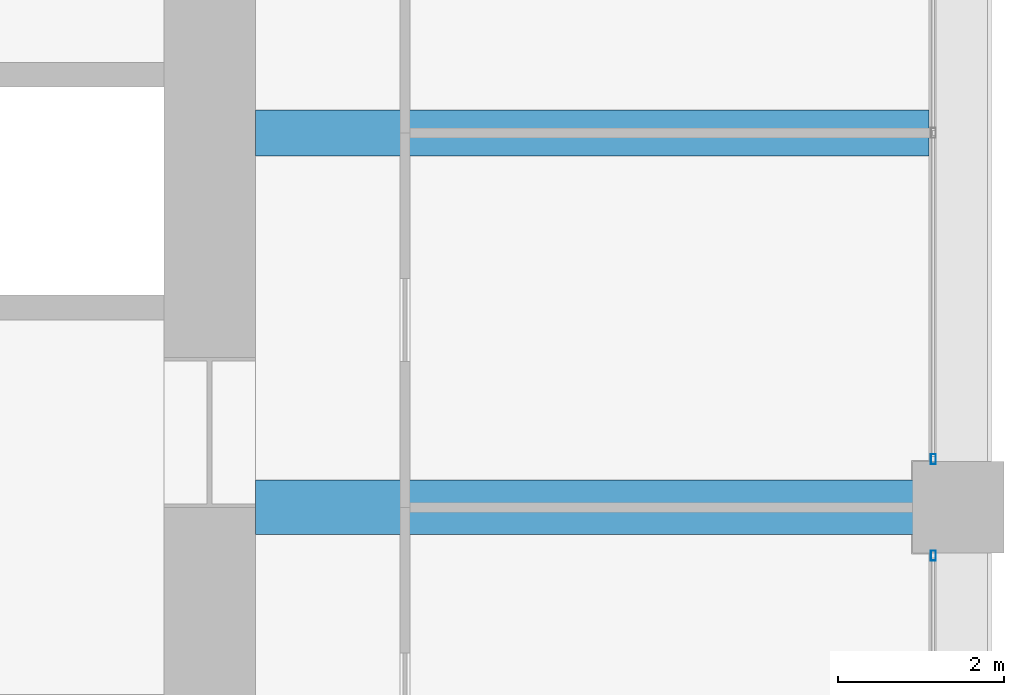
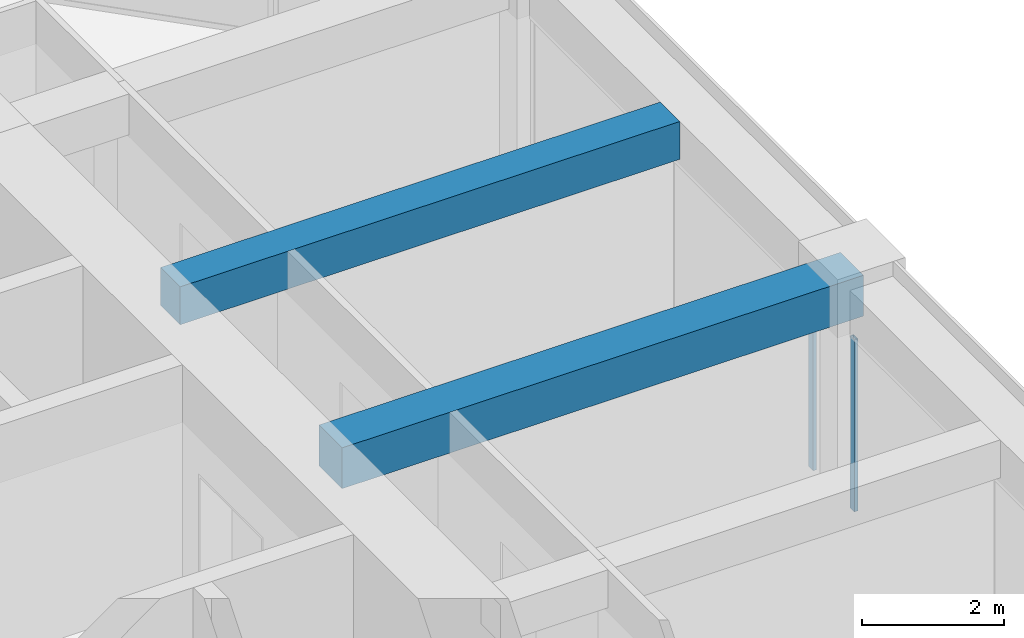
# One storey, part 26 of 44: 2 beams, 2 members, 2 elements without a shape of their own.
"""IFC4 building model written with IfcOpenShell, lengths in metres."""

import ifcopenshell
import ifcopenshell.guid

model = None  # the IFC model being written
_history = None  # IfcOwnerHistory: only IFC2X3 demands one
_inside = {}  # id of a spatial element -> (the spatial element, [elements in it])
_under = {}  # id of a project, library or spatial element -> (it, [spatial elements below it])
_declared = {}  # id of a project -> (the project, [libraries it declares])
_typed = {}  # id of a type object -> (the type object, [elements of that type])
_made_of = {}  # id of a material, layer set ... -> (it, [elements and type objects made of it])


def new_model(schema):
    """Start an empty IFC model of exactly this schema.

    Asked for "IFC4X3", IfcOpenShell would pick the latest addendum, in which some entities
    have other attributes; the version numbers below select the first issue.
    IFC2X3 requires an IfcOwnerHistory on every rooted entity: one is made here for all.
    """
    global model, _history
    if schema == "IFC4X3":
        model = ifcopenshell.file(schema_version=(4, 3, 0, 0))
    else:
        model = ifcopenshell.file(schema=schema)
    _inside.clear()
    _under.clear()
    _declared.clear()
    _typed.clear()
    _made_of.clear()
    _history = None
    if model.schema == "IFC2X3":
        org = make("IfcOrganization", Name="unknown")
        user = make(
            "IfcPersonAndOrganization",
            ThePerson=make("IfcPerson", FamilyName="unknown"),
            TheOrganization=org,
        )
        app = make(
            "IfcApplication",
            ApplicationDeveloper=org,
            Version="unknown",
            ApplicationFullName="unknown",
            ApplicationIdentifier="unknown",
        )
        _history = make(
            "IfcOwnerHistory",
            OwningUser=user,
            OwningApplication=app,
            ChangeAction="ADDED",
            CreationDate=0,
        )
    return model


def make(cls, **values):
    """One entity of the class cls with the attributes given. An attribute that is None is left unset."""
    return model.create_entity(
        cls, **{name: value for name, value in values.items() if value is not None}
    )


def rooted(cls, **values):
    """An entity with a GlobalId (a new one), such as an element, a storey or a relation."""
    return make(cls, GlobalId=ifcopenshell.guid.new(), OwnerHistory=_history, **values)


def si_unit(unit_type, name, prefix=None):
    """IfcSIUnit, for example si_unit("LENGTHUNIT", "METRE", prefix="MILLI")."""
    return make("IfcSIUnit", UnitType=unit_type, Prefix=prefix, Name=name)


def assignment(units):
    """IfcUnitAssignment: the units of a project."""
    return None if units is None else make("IfcUnitAssignment", Units=units)


def point(xyz):
    """IfcCartesianPoint."""
    return None if xyz is None else make("IfcCartesianPoint", Coordinates=xyz)


def direction(xyz):
    """IfcDirection."""
    return None if xyz is None else make("IfcDirection", DirectionRatios=xyz)


def frame(location, z_axis=None, x_axis=None):
    """IfcAxis2Placement3D, a coordinate frame: its origin and axes. An axis left out is left unset."""
    return make(
        "IfcAxis2Placement3D",
        Location=point(location),
        Axis=direction(z_axis),
        RefDirection=direction(x_axis),
    )


def frame_2d(location, x_axis=None):
    """IfcAxis2Placement2D, a coordinate frame in the plane: its origin and x axis."""
    return make(
        "IfcAxis2Placement2D", Location=point(location), RefDirection=direction(x_axis)
    )


def origin():
    """The frame at (0, 0, 0) with its axes left unset."""
    return frame((0.0, 0.0, 0.0))


def origin_2d():
    """The frame at (0, 0) in the plane with its x axis left unset."""
    return frame_2d((0.0, 0.0))


def place(relative_to, where):
    """IfcLocalPlacement: puts the frame where relative to a parent placement (None: the world)."""
    return make(
        "IfcLocalPlacement", PlacementRelTo=relative_to, RelativePlacement=where
    )


def context(
    kind, dimensions, precision=None, world=None, true_north=None, identifier=None
):
    """IfcGeometricRepresentationContext, for example the 3D "Model" context."""
    return make(
        "IfcGeometricRepresentationContext",
        ContextIdentifier=identifier,
        ContextType=kind,
        CoordinateSpaceDimension=dimensions,
        Precision=precision,
        WorldCoordinateSystem=world,
        TrueNorth=true_north,
    )


def subcontext(parent, identifier, kind, view, scale=None):
    """IfcGeometricRepresentationSubContext, for example "Body" below "Model"."""
    return make(
        "IfcGeometricRepresentationSubContext",
        ContextIdentifier=identifier,
        ContextType=kind,
        ParentContext=parent,
        TargetScale=scale,
        TargetView=view,
    )


def project(units=None, contexts=None):
    """IfcProject with its units and contexts."""
    return rooted(
        "IfcProject",
        Name="project",
        RepresentationContexts=contexts,
        UnitsInContext=assignment(units),
    )


def spatial(cls, under=None, at=None, **own):
    """A site, building, storey or space (cls), placed at a placement, below another one or the project."""
    s = rooted(cls, ObjectPlacement=at, **own)
    if under is not None:
        _under.setdefault(under.id(), (under, []))[1].append(s)
    return s


def profile(cls, at=None, kind="AREA", **sizes):
    """A parametric profile (cls). Its sizes go by their IFC names, for example OverallWidth=200.0."""
    return make(cls, ProfileType=kind, Position=at, **sizes)


def rectangle(**sizes):
    """IfcRectangleProfileDef."""
    return profile("IfcRectangleProfileDef", **sizes)


def hollow_rectangle(**sizes):
    """IfcRectangleHollowProfileDef."""
    return profile("IfcRectangleHollowProfileDef", **sizes)


def extrude(swept, where, along, depth):
    """IfcExtrudedAreaSolid: the profile swept, set in the frame where, extruded along a direction by depth."""
    return make(
        "IfcExtrudedAreaSolid",
        SweptArea=swept,
        Position=where,
        ExtrudedDirection=direction(along),
        Depth=depth,
    )


def shape(context_of_items, identifier, shape_type, items):
    """IfcShapeRepresentation: the items that make up one representation, for example the "Body"."""
    return make(
        "IfcShapeRepresentation",
        ContextOfItems=context_of_items,
        RepresentationIdentifier=identifier,
        RepresentationType=shape_type,
        Items=items,
    )


def material(Name=None, Category=None):
    """IfcMaterial."""
    return make("IfcMaterial", Name=Name, Category=Category)


def material_profile(
    of_material, cross_section, Name=None, Category=None, Priority=None
):
    """IfcMaterialProfile: a cross section and its material."""
    return make(
        "IfcMaterialProfile",
        Name=Name,
        Material=of_material,
        Profile=cross_section,
        Priority=Priority,
        Category=Category,
    )


def profile_set(profiles, Name=None, composite=None):
    """IfcMaterialProfileSet."""
    return make(
        "IfcMaterialProfileSet",
        Name=Name,
        MaterialProfiles=profiles,
        CompositeProfile=composite,
    )


def made_of(thing, what):
    """Note that an element or type object is made of a material, layer set ...; save() writes the relation."""
    if what is not None:
        _made_of.setdefault(what.id(), (what, []))[1].append(thing)
    return thing


def type_object(cls, material=None, **own):
    """A type object (cls), such as IfcWallType, which elements share."""
    return made_of(rooted(cls, **own), material)


def element(
    cls,
    number,
    at=None,
    inside=None,
    cuts=None,
    type_object=None,
    material=None,
    context=None,
    identifier="Body",
    shape_type=None,
    held_by="IfcProductDefinitionShape",
    body=None,
    shapes=None,
    **own,
):
    """One element of the class cls, such as IfcWall. Its Tag is "e" and its number.

    at: its placement. inside: the storey or other place that contains it. cuts: it is an
    opening in that element (IfcRelVoidsElement). A single representation is given by context,
    identifier, shape_type and body (its items); several are given by shapes. held_by: the class
    of the entity that holds the representations. save() writes the other relations.
    """
    e = rooted(cls, Tag="e%d" % number, ObjectPlacement=at, **own)
    if body is not None:
        shapes = [shape(context, identifier, shape_type, body)]
    if shapes is not None:
        e.Representation = make(held_by, Representations=shapes)
    if inside is not None:
        _inside.setdefault(inside.id(), (inside, []))[1].append(e)
    if cuts is not None:
        rooted(
            "IfcRelVoidsElement", RelatingBuildingElement=cuts, RelatedOpeningElement=e
        )
    if type_object is not None:
        _typed.setdefault(type_object.id(), (type_object, []))[1].append(e)
    return made_of(e, material)


def aggregate(whole, parts):
    """IfcRelAggregates: a whole, such as a stair, and the parts it consists of."""
    return rooted("IfcRelAggregates", RelatingObject=whole, RelatedObjects=parts)


def save(model, path):
    """Write the relations noted so far, then the file.

    IfcRelAggregates (storeys below a building ...), IfcRelContainedInSpatialStructure (elements
    in a storey), IfcRelDefinesByType, IfcRelAssociatesMaterial and IfcRelDeclares: one each for
    every whole, place, type object, material and project.
    """
    for whole, parts in _under.values():
        aggregate(whole, parts)
    for where, things in _inside.values():
        rooted(
            "IfcRelContainedInSpatialStructure",
            RelatedElements=things,
            RelatingStructure=where,
        )
    for kind, things in _typed.values():
        rooted("IfcRelDefinesByType", RelatedObjects=things, RelatingType=kind)
    for what, things in _made_of.values():
        rooted("IfcRelAssociatesMaterial", RelatedObjects=things, RelatingMaterial=what)
    for by, libraries in _declared.values():
        rooted("IfcRelDeclares", RelatingContext=by, RelatedDefinitions=libraries)
    model.write(path)


model = new_model("IFC4")

# Units and contexts
model_context = context("Model", 3, precision=1e-05, world=origin(), true_north=direction((0.0, 1.0)))
body_context = subcontext(model_context, "Body", "Model", "MODEL_VIEW")
ifc_project = project(units=[si_unit("LENGTHUNIT", "METRE"), si_unit("AREAUNIT", "SQUARE_METRE"), si_unit("VOLUMEUNIT", "CUBIC_METRE"), si_unit("PLANEANGLEUNIT", "RADIAN"), si_unit("MASSUNIT", "GRAM", prefix="KILO")], contexts=[model_context])

# Site, building, storey
site_placement = place(None, origin())
site = spatial("IfcSite", under=ifc_project, at=site_placement, CompositionType="ELEMENT")
building_placement = place(site_placement, origin())
building = spatial("IfcBuilding", under=site, at=building_placement, Name="Zorevar Civic Tower", CompositionType="ELEMENT")
storey_placement = place(building_placement, frame((0.0, 0.0, 259.39990234375)))
storey = spatial("IfcBuildingStorey", under=building, at=storey_placement, Name="L63", CompositionType="ELEMENT", Elevation=259.39990234375)

# Beams
ifc_material_1 = material(Name="Concrete C50/60", Category="concrete")
ifc_material_profile_1 = material_profile(ifc_material_1, rectangle(XDim=0.550048828125, YDim=0.64990234375, at=origin_2d()), Name="RC 550x650")
ifc_profile_set_1 = profile_set([ifc_material_profile_1], Name="Concrete C50/60")
beam_type_1 = type_object("IfcBeamType", Name="Beam RC 550x650", PredefinedType="BEAM", material=ifc_profile_set_1)
beam_1_placement = place(storey_placement, frame((45.550048828125, 31.5, 3.425048828125), z_axis=(1.0, 0.0, 0.0), x_axis=(0.0, 1.0, 0.0)))
element("IfcBeam", 1, at=beam_1_placement, inside=storey, type_object=beam_type_1, Name="Secondary beam L64", PredefinedType="BEAM", context=body_context, shape_type="SweptSolid", body=[
    extrude(rectangle(XDim=0.550048828125, YDim=0.64990234375, at=origin_2d()), origin(), (0.0, 0.0, 1.0), 8.099853515625),
])
ifc_material_2 = material(Name="Concrete C50/60", Category="concrete")
ifc_material_profile_2 = material_profile(ifc_material_2, rectangle(XDim=0.64990234375, YDim=0.699951171875, at=origin_2d()), Name="RC 650x700")
ifc_profile_set_2 = profile_set([ifc_material_profile_2], Name="Concrete C50/60")
beam_type_2 = type_object("IfcBeamType", Name="Beam RC 650x700", PredefinedType="BEAM", material=ifc_profile_set_2)
beam_2_placement = place(storey_placement, frame((45.550048828125, 27.0, 3.400146484375), z_axis=(1.0, 0.0, 0.0), x_axis=(0.0, 1.0, 0.0)))
element("IfcBeam", 2, at=beam_2_placement, inside=storey, type_object=beam_type_2, Name="Girder L64", PredefinedType="BEAM", context=body_context, shape_type="SweptSolid", body=[
    extrude(rectangle(XDim=0.64990234375, YDim=0.699951171875, at=origin_2d()), origin(), (0.0, 0.0, 1.0), 8.449951171875),
])

# Curtain wall, member
ifc_material_3 = material(Name="Dark grey solar-control glass in black aluminium frame", Category="aluminium")
curtain_wall_type = type_object("IfcCurtainWallType", Name="Curtain wall CW5 top zone", PredefinedType="NOTDEFINED", material=ifc_material_3)
curtain_wall_1_placement = place(storey_placement, origin())
curtain_wall_1 = element("IfcCurtainWall", 3, at=curtain_wall_1_placement, inside=storey, type_object=curtain_wall_type, Name="CW5 L63", PredefinedType="NOTDEFINED")
ifc_material_4 = material(Name="Aluminium, black anodised", Category="aluminium")
ifc_material_profile_3 = material_profile(ifc_material_4, hollow_rectangle(XDim=0.06005859375, YDim=0.1201171875, WallThickness=0.0029296875, at=origin_2d()), Name="AL 120x60x3")
ifc_profile_set_3 = profile_set([ifc_material_profile_3], Name="Aluminium, black anodised")
member_type = type_object("IfcMemberType", Name="CW5 mullion AL 120x60x3", PredefinedType="MULLION", material=ifc_profile_set_3)
member_1_placement = place(storey_placement, frame((53.699951171875, 26.419921875, 0.0), z_axis=(0.0, 0.0, 1.0), x_axis=(-1.0, 0.0, 0.0)))
member_1 = element("IfcMember", 4, at=member_1_placement, type_object=member_type, Name="CW5 mullion 3", PredefinedType="MULLION", context=body_context, shape_type="SweptSolid", body=[
    extrude(hollow_rectangle(XDim=0.06005859375, YDim=0.1201171875, WallThickness=0.0029296875, at=origin_2d()), origin(), (0.0, 0.0, 1.0), 2.9501953125),
])
aggregate(curtain_wall_1, [member_1])

curtain_wall_2_placement = place(storey_placement, origin())
curtain_wall_2 = element("IfcCurtainWall", 5, at=curtain_wall_2_placement, inside=storey, type_object=curtain_wall_type, Name="CW5 L63", PredefinedType="NOTDEFINED")
member_2_placement = place(storey_placement, frame((53.699951171875, 27.580078125, 0.0), z_axis=(0.0, 0.0, 1.0), x_axis=(-1.0, 0.0, 0.0)))
member_2 = element("IfcMember", 6, at=member_2_placement, type_object=member_type, Name="CW5 mullion 1", PredefinedType="MULLION", context=body_context, shape_type="SweptSolid", body=[
    extrude(hollow_rectangle(XDim=0.06005859375, YDim=0.1201171875, WallThickness=0.0029296875, at=origin_2d()), origin(), (0.0, 0.0, 1.0), 2.9501953125),
])
aggregate(curtain_wall_2, [member_2])

save(model, "model.ifc")
